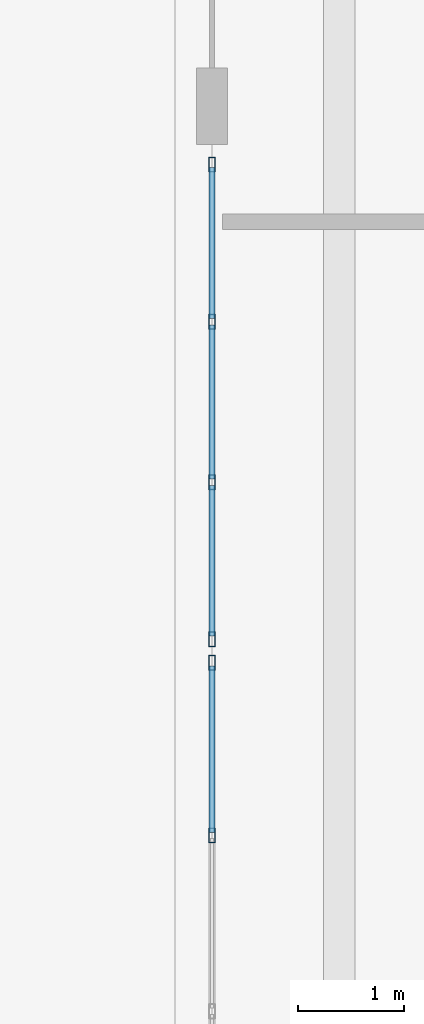
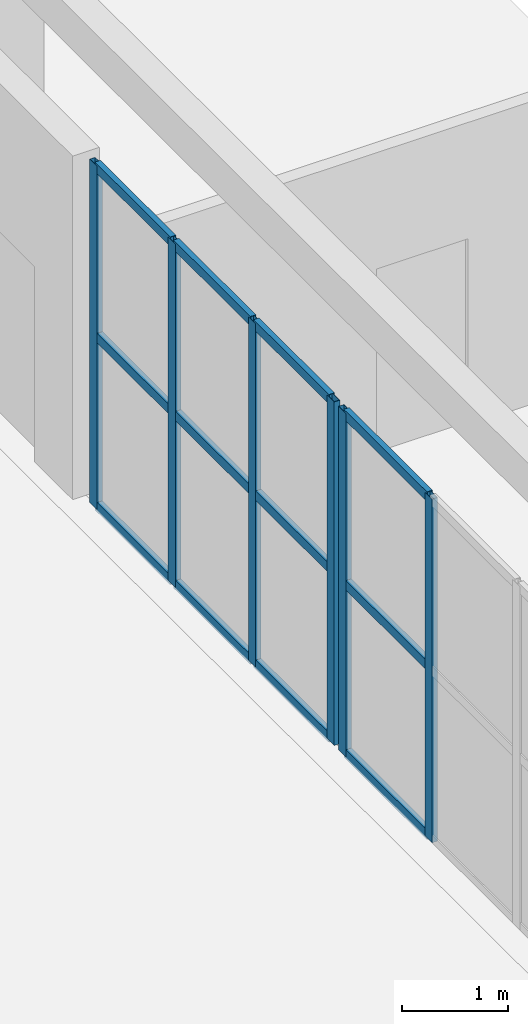
# One storey, part 17 of 90: 18 members, 2 elements without a shape of their own.
"""IFC4 building model written with IfcOpenShell, lengths in metres."""

from ifc_helpers import new_model, si_unit, direction, frame, origin, origin_2d, place, context, subcontext, project, spatial, hollow_rectangle, extrude, material, layer, layer_set, material_profile, profile_set, type_object, element, aggregate, save


model = new_model("IFC4")

# Units and contexts
model_context = context("Model", 3, precision=1e-05, world=origin(), true_north=direction((0.0, 1.0)))
body_context = subcontext(model_context, "Body", "Model", "MODEL_VIEW")
ifc_project = project(units=[si_unit("LENGTHUNIT", "METRE"), si_unit("AREAUNIT", "SQUARE_METRE"), si_unit("VOLUMEUNIT", "CUBIC_METRE"), si_unit("PLANEANGLEUNIT", "RADIAN"), si_unit("MASSUNIT", "GRAM", prefix="KILO")], contexts=[model_context])

# Site, building, storey
site_placement = place(None, origin())
site = spatial("IfcSite", under=ifc_project, at=site_placement, CompositionType="ELEMENT")
building_placement = place(site_placement, origin())
building = spatial("IfcBuilding", under=site, at=building_placement, Name="Trelvath General Hospital", CompositionType="ELEMENT")
storey_placement = place(building_placement, frame((0.0, 0.0, 20.39990234375)))
storey = spatial("IfcBuildingStorey", under=building, at=storey_placement, Name="L05", CompositionType="ELEMENT", Elevation=20.39990234375)

# Curtain wall, members
ifc_material_1 = material(Name="Anodised aluminium and low-E glass", Category="aluminium")
ifc_layer_1 = layer(ifc_material_1, 0.14990234375)
ifc_layer_set_1 = layer_set([ifc_layer_1], Name="Anodised aluminium and low-E glass")
curtain_wall_type_1 = type_object("IfcCurtainWallType", Name="CW CrystalCube 664 396 15", PredefinedType="USERDEFINED", material=ifc_layer_set_1)
curtain_wall_1_placement = place(storey_placement, origin())
curtain_wall_1 = element("IfcCurtainWall", 1, at=curtain_wall_1_placement, inside=storey, type_object=curtain_wall_type_1, Name="Crystal Cube Curtain Wall CUBE-W-T2 W1 L05", ObjectType="Unitised Glazed Curtain Wall", PredefinedType="USERDEFINED")
ifc_material_2 = material(Name="Anodised aluminium", Category="aluminium")
ifc_material_profile_1 = material_profile(ifc_material_2, hollow_rectangle(XDim=0.06005859375, YDim=0.139892578125, WallThickness=0.00390625, at=origin_2d()), Name="RHS60x140x4")
ifc_profile_set_1 = profile_set([ifc_material_profile_1], Name="Anodised aluminium")
member_type_1 = type_object("IfcMemberType", Name="CurtainMullion 60x140", PredefinedType="MULLION", material=ifc_profile_set_1)
member_1_placement = place(storey_placement, frame((59.60009765625, 48.659912109375, 0.0), z_axis=(0.0, 0.0, 1.0), x_axis=(-1.0, 0.0, 0.0)))
member_1 = element("IfcMember", 2, at=member_1_placement, type_object=member_type_1, Name="CW-310 mullion 4", PredefinedType="MULLION", context=body_context, shape_type="SweptSolid", body=[
    extrude(hollow_rectangle(XDim=0.06005859375, YDim=0.139892578125, WallThickness=0.00390625, at=origin_2d()), origin(), (0.0, 0.0, 1.0), 3.960205078125),
])
member_2_placement = place(storey_placement, frame((59.60009765625, 50.2900390625, 0.0), z_axis=(0.0, 0.0, 1.0), x_axis=(-1.0, 0.0, 0.0)))
member_2 = element("IfcMember", 3, at=member_2_placement, type_object=member_type_1, Name="CW-310 mullion 5", PredefinedType="MULLION", context=body_context, shape_type="SweptSolid", body=[
    extrude(hollow_rectangle(XDim=0.06005859375, YDim=0.139892578125, WallThickness=0.00390625, at=origin_2d()), origin(), (0.0, 0.0, 1.0), 3.960205078125),
])

ifc_material_3 = material(Name="Anodised aluminium and low-E glass", Category="aluminium")
ifc_layer_2 = layer(ifc_material_3, 0.14990234375)
ifc_layer_set_2 = layer_set([ifc_layer_2], Name="Anodised aluminium and low-E glass")
curtain_wall_type_2 = type_object("IfcCurtainWallType", Name="CW CrystalCube 454 396 15", PredefinedType="USERDEFINED", material=ifc_layer_set_2)
curtain_wall_2_placement = place(storey_placement, origin())
curtain_wall_2 = element("IfcCurtainWall", 4, at=curtain_wall_2_placement, inside=storey, type_object=curtain_wall_type_2, Name="Crystal Cube Curtain Wall CUBE-W-T2 W2 L05", ObjectType="Unitised Glazed Curtain Wall", PredefinedType="USERDEFINED")
member_3_placement = place(storey_placement, frame((59.60009765625, 50.510009765625, 0.0), z_axis=(0.0, 0.0, 1.0), x_axis=(-1.0, 0.0, 0.0)))
member_3 = element("IfcMember", 5, at=member_3_placement, type_object=member_type_1, Name="CW-311 mullion 1", PredefinedType="MULLION", context=body_context, shape_type="SweptSolid", body=[
    extrude(hollow_rectangle(XDim=0.06005859375, YDim=0.139892578125, WallThickness=0.00390625, at=origin_2d()), origin(), (0.0, 0.0, 1.0), 3.960205078125),
])
member_4_placement = place(storey_placement, frame((59.60009765625, 51.993408203125, 0.0), z_axis=(0.0, 0.0, 1.0), x_axis=(-1.0, 0.0, 0.0)))
member_4 = element("IfcMember", 6, at=member_4_placement, type_object=member_type_1, Name="CW-311 mullion 2", PredefinedType="MULLION", context=body_context, shape_type="SweptSolid", body=[
    extrude(hollow_rectangle(XDim=0.06005859375, YDim=0.139892578125, WallThickness=0.00390625, at=origin_2d()), origin(), (0.0, 0.0, 1.0), 3.960205078125),
])
member_5_placement = place(storey_placement, frame((59.60009765625, 53.506591796875, 0.0), z_axis=(0.0, 0.0, 1.0), x_axis=(-1.0, 0.0, 0.0)))
member_5 = element("IfcMember", 7, at=member_5_placement, type_object=member_type_1, Name="CW-311 mullion 3", PredefinedType="MULLION", context=body_context, shape_type="SweptSolid", body=[
    extrude(hollow_rectangle(XDim=0.06005859375, YDim=0.139892578125, WallThickness=0.00390625, at=origin_2d()), origin(), (0.0, 0.0, 1.0), 3.960205078125),
])
member_6_placement = place(storey_placement, frame((59.60009765625, 54.989990234375, 0.0), z_axis=(0.0, 0.0, 1.0), x_axis=(-1.0, 0.0, 0.0)))
member_6 = element("IfcMember", 8, at=member_6_placement, type_object=member_type_1, Name="CW-311 mullion 4", PredefinedType="MULLION", context=body_context, shape_type="SweptSolid", body=[
    extrude(hollow_rectangle(XDim=0.06005859375, YDim=0.139892578125, WallThickness=0.00390625, at=origin_2d()), origin(), (0.0, 0.0, 1.0), 3.960205078125),
])

# Member
ifc_material_4 = material(Name="Anodised aluminium", Category="aluminium")
ifc_material_profile_2 = material_profile(ifc_material_4, hollow_rectangle(XDim=0.06005859375, YDim=0.110107421875, WallThickness=0.00390625, at=origin_2d()), Name="RHS60x110x4")
ifc_profile_set_2 = profile_set([ifc_material_profile_2], Name="Anodised aluminium")
member_type_2 = type_object("IfcMemberType", Name="CurtainTransom 60x110", PredefinedType="USERDEFINED", material=ifc_profile_set_2)
member_7_placement = place(storey_placement, frame((59.60009765625, 48.68994140625, 0.030029296875), z_axis=(0.0, 1.0, 0.0), x_axis=(-1.0, 0.0, 0.0)))
member_7 = element("IfcMember", 9, at=member_7_placement, type_object=member_type_2, Name="CW-310 transom 4.1", ObjectType="TRANSOM", PredefinedType="USERDEFINED", context=body_context, shape_type="SweptSolid", body=[
    extrude(hollow_rectangle(XDim=0.06005859375, YDim=0.110107421875, WallThickness=0.00390625, at=origin_2d()), origin(), (0.0, 0.0, 1.0), 1.570068359375),
])

member_8_placement = place(storey_placement, frame((59.60009765625, 48.68994140625, 1.97998046875), z_axis=(0.0, 1.0, 0.0), x_axis=(-1.0, 0.0, 0.0)))
member_8 = element("IfcMember", 10, at=member_8_placement, type_object=member_type_2, Name="CW-310 transom 4.2", ObjectType="TRANSOM", PredefinedType="USERDEFINED", context=body_context, shape_type="SweptSolid", body=[
    extrude(hollow_rectangle(XDim=0.06005859375, YDim=0.110107421875, WallThickness=0.00390625, at=origin_2d()), origin(), (0.0, 0.0, 1.0), 1.570068359375),
])

member_9_placement = place(storey_placement, frame((59.60009765625, 48.68994140625, 3.93017578125), z_axis=(0.0, 1.0, 0.0), x_axis=(-1.0, 0.0, 0.0)))
member_9 = element("IfcMember", 11, at=member_9_placement, type_object=member_type_2, Name="CW-310 transom 4.3", ObjectType="TRANSOM", PredefinedType="USERDEFINED", context=body_context, shape_type="SweptSolid", body=[
    extrude(hollow_rectangle(XDim=0.06005859375, YDim=0.110107421875, WallThickness=0.00390625, at=origin_2d()), origin(), (0.0, 0.0, 1.0), 1.570068359375),
])

aggregate(curtain_wall_1, [member_1, member_2, member_7, member_8, member_9])

member_10_placement = place(storey_placement, frame((59.60009765625, 50.5400390625, 0.030029296875), z_axis=(0.0, 1.0, 0.0), x_axis=(-1.0, 0.0, 0.0)))
member_10 = element("IfcMember", 12, at=member_10_placement, type_object=member_type_2, Name="CW-311 transom 1.1", ObjectType="TRANSOM", PredefinedType="USERDEFINED", context=body_context, shape_type="SweptSolid", body=[
    extrude(hollow_rectangle(XDim=0.06005859375, YDim=0.110107421875, WallThickness=0.00390625, at=origin_2d()), origin(), (0.0, 0.0, 1.0), 1.42333984375),
])

member_11_placement = place(storey_placement, frame((59.60009765625, 50.5400390625, 1.97998046875), z_axis=(0.0, 1.0, 0.0), x_axis=(-1.0, 0.0, 0.0)))
member_11 = element("IfcMember", 13, at=member_11_placement, type_object=member_type_2, Name="CW-311 transom 1.2", ObjectType="TRANSOM", PredefinedType="USERDEFINED", context=body_context, shape_type="SweptSolid", body=[
    extrude(hollow_rectangle(XDim=0.06005859375, YDim=0.110107421875, WallThickness=0.00390625, at=origin_2d()), origin(), (0.0, 0.0, 1.0), 1.42333984375),
])

member_12_placement = place(storey_placement, frame((59.60009765625, 50.5400390625, 3.93017578125), z_axis=(0.0, 1.0, 0.0), x_axis=(-1.0, 0.0, 0.0)))
member_12 = element("IfcMember", 14, at=member_12_placement, type_object=member_type_2, Name="CW-311 transom 1.3", ObjectType="TRANSOM", PredefinedType="USERDEFINED", context=body_context, shape_type="SweptSolid", body=[
    extrude(hollow_rectangle(XDim=0.06005859375, YDim=0.110107421875, WallThickness=0.00390625, at=origin_2d()), origin(), (0.0, 0.0, 1.0), 1.42333984375),
])

member_13_placement = place(storey_placement, frame((59.60009765625, 52.0234375, 0.030029296875), z_axis=(0.0, 1.0, 0.0), x_axis=(-1.0, 0.0, 0.0)))
member_13 = element("IfcMember", 15, at=member_13_placement, type_object=member_type_2, Name="CW-311 transom 2.1", ObjectType="TRANSOM", PredefinedType="USERDEFINED", context=body_context, shape_type="SweptSolid", body=[
    extrude(hollow_rectangle(XDim=0.06005859375, YDim=0.110107421875, WallThickness=0.00390625, at=origin_2d()), origin(), (0.0, 0.0, 1.0), 1.453125),
])

member_14_placement = place(storey_placement, frame((59.60009765625, 52.0234375, 1.97998046875), z_axis=(0.0, 1.0, 0.0), x_axis=(-1.0, 0.0, 0.0)))
member_14 = element("IfcMember", 16, at=member_14_placement, type_object=member_type_2, Name="CW-311 transom 2.2", ObjectType="TRANSOM", PredefinedType="USERDEFINED", context=body_context, shape_type="SweptSolid", body=[
    extrude(hollow_rectangle(XDim=0.06005859375, YDim=0.110107421875, WallThickness=0.00390625, at=origin_2d()), origin(), (0.0, 0.0, 1.0), 1.453125),
])

member_15_placement = place(storey_placement, frame((59.60009765625, 52.0234375, 3.93017578125), z_axis=(0.0, 1.0, 0.0), x_axis=(-1.0, 0.0, 0.0)))
member_15 = element("IfcMember", 17, at=member_15_placement, type_object=member_type_2, Name="CW-311 transom 2.3", ObjectType="TRANSOM", PredefinedType="USERDEFINED", context=body_context, shape_type="SweptSolid", body=[
    extrude(hollow_rectangle(XDim=0.06005859375, YDim=0.110107421875, WallThickness=0.00390625, at=origin_2d()), origin(), (0.0, 0.0, 1.0), 1.453125),
])

member_16_placement = place(storey_placement, frame((59.60009765625, 53.53662109375, 0.030029296875), z_axis=(0.0, 1.0, 0.0), x_axis=(-1.0, 0.0, 0.0)))
member_16 = element("IfcMember", 18, at=member_16_placement, type_object=member_type_2, Name="CW-311 transom 3.1", ObjectType="TRANSOM", PredefinedType="USERDEFINED", context=body_context, shape_type="SweptSolid", body=[
    extrude(hollow_rectangle(XDim=0.06005859375, YDim=0.110107421875, WallThickness=0.00390625, at=origin_2d()), origin(), (0.0, 0.0, 1.0), 1.42333984375),
])

member_17_placement = place(storey_placement, frame((59.60009765625, 53.53662109375, 1.97998046875), z_axis=(0.0, 1.0, 0.0), x_axis=(-1.0, 0.0, 0.0)))
member_17 = element("IfcMember", 19, at=member_17_placement, type_object=member_type_2, Name="CW-311 transom 3.2", ObjectType="TRANSOM", PredefinedType="USERDEFINED", context=body_context, shape_type="SweptSolid", body=[
    extrude(hollow_rectangle(XDim=0.06005859375, YDim=0.110107421875, WallThickness=0.00390625, at=origin_2d()), origin(), (0.0, 0.0, 1.0), 1.42333984375),
])

member_18_placement = place(storey_placement, frame((59.60009765625, 53.53662109375, 3.93017578125), z_axis=(0.0, 1.0, 0.0), x_axis=(-1.0, 0.0, 0.0)))
member_18 = element("IfcMember", 20, at=member_18_placement, type_object=member_type_2, Name="CW-311 transom 3.3", ObjectType="TRANSOM", PredefinedType="USERDEFINED", context=body_context, shape_type="SweptSolid", body=[
    extrude(hollow_rectangle(XDim=0.06005859375, YDim=0.110107421875, WallThickness=0.00390625, at=origin_2d()), origin(), (0.0, 0.0, 1.0), 1.42333984375),
])

aggregate(curtain_wall_2, [member_3, member_4, member_5, member_6, member_10, member_11, member_12, member_13, member_14, member_15, member_16, member_17, member_18])

save(model, "model.ifc")
